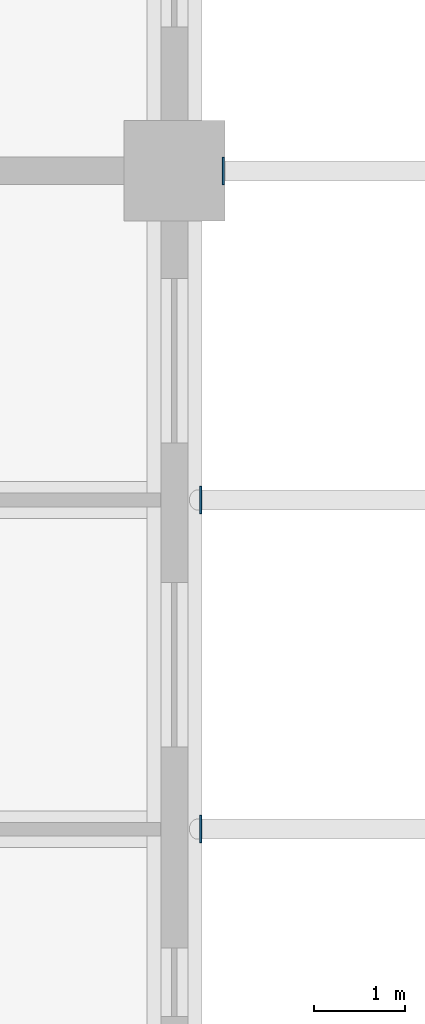
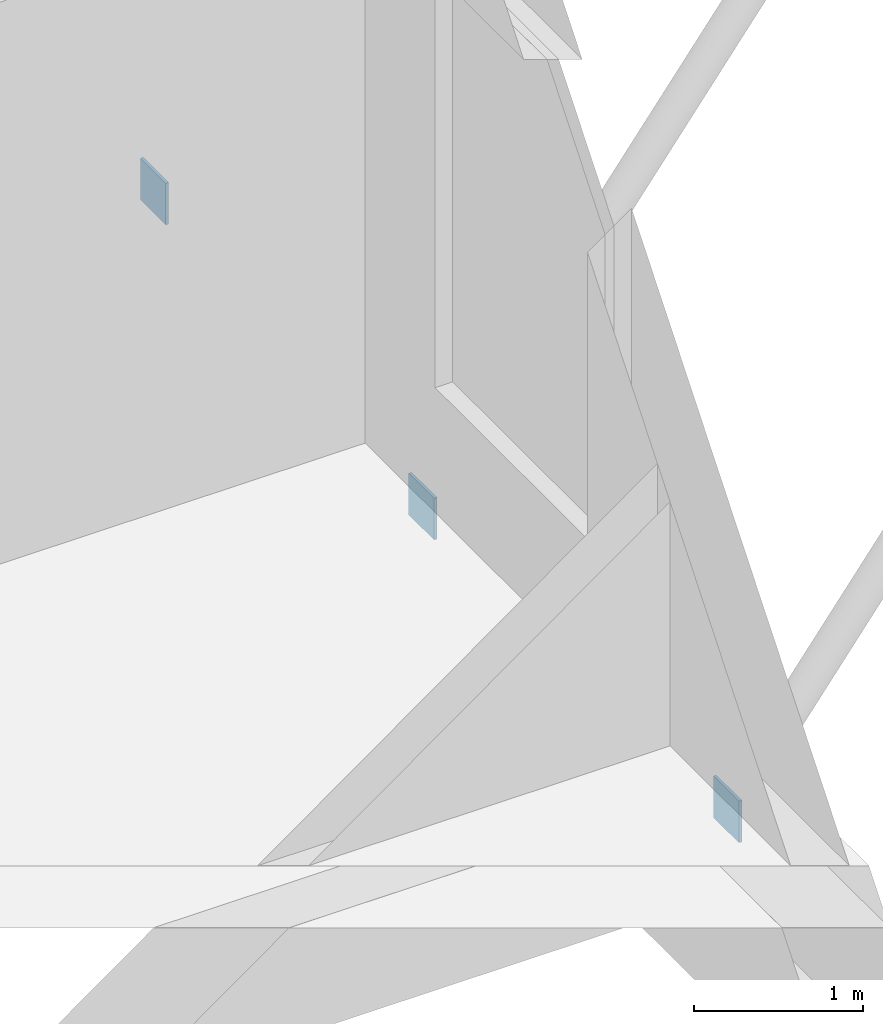
# One storey, part 29 of 38: 3 discrete accessories.
"""IFC4 building model written with IfcOpenShell, lengths in metres."""

from ifc_helpers import new_model, si_unit, direction, frame, origin, origin_2d, place, context, subcontext, project, spatial, rectangle, extrude, material, type_object, element, save


model = new_model("IFC4")

# Units and contexts
model_context = context("Model", 3, precision=1e-05, world=origin(), true_north=direction((0.0, 1.0)))
body_context = subcontext(model_context, "Body", "Model", "MODEL_VIEW")
ifc_project = project(units=[si_unit("LENGTHUNIT", "METRE"), si_unit("AREAUNIT", "SQUARE_METRE"), si_unit("VOLUMEUNIT", "CUBIC_METRE"), si_unit("PLANEANGLEUNIT", "RADIAN"), si_unit("MASSUNIT", "GRAM", prefix="KILO")], contexts=[model_context])

# Site, building, storey
site_placement = place(None, origin())
site = spatial("IfcSite", under=ifc_project, at=site_placement, CompositionType="ELEMENT")
building_placement = place(site_placement, origin())
building = spatial("IfcBuilding", under=site, at=building_placement, Name="Basin Gate Institute", CompositionType="ELEMENT")
storey_placement = place(building_placement, frame((0.0, 0.0, 16.800048828125)))
storey = spatial("IfcBuildingStorey", under=building, at=storey_placement, Name="L03", CompositionType="ELEMENT", Elevation=16.800048828125)

# Discrete accessories
ifc_material = material(Name="Structural steel SN490", Category="steel")
discrete_accessory_type = type_object("IfcDiscreteAccessoryType", Name="Brace end plate BP300", PredefinedType="BRACKET", material=ifc_material)
for number, where, z_axis, x_axis, name in (
    (1, (119.086181640625, 49.5, -0.80224609375), (0.0, 0.0, 1.0), (1.0, 0.0, 0.0), "Tray bracket E L04 tray 1.1 end plate 1"),
    (2, (119.086181640625, 53.10009765625, -0.80224609375), (0.0, 0.0, 1.0), (1.0, 0.0, 0.0), "Tray bracket E L04 tray 1.2 end plate 1"),
    (3, (119.334716796875, 56.699951171875, -0.80126953125), (0.0, 0.0, 1.0), (1.0, 0.0, 0.0), "Tray bracket E L04 tray 1.3 end plate 1"),
):
    element("IfcDiscreteAccessory", number, at=place(storey_placement, frame(where, z_axis=z_axis, x_axis=x_axis)), inside=storey, type_object=discrete_accessory_type, material=ifc_material, Name=name, PredefinedType="BRACKET", context=body_context, shape_type="SweptSolid", body=[
        extrude(rectangle(XDim=0.02001953125, YDim=0.300048828125, at=origin_2d()), origin(), (0.0, 0.0, 1.0), 0.300048828125),
    ])

save(model, "model.ifc")
